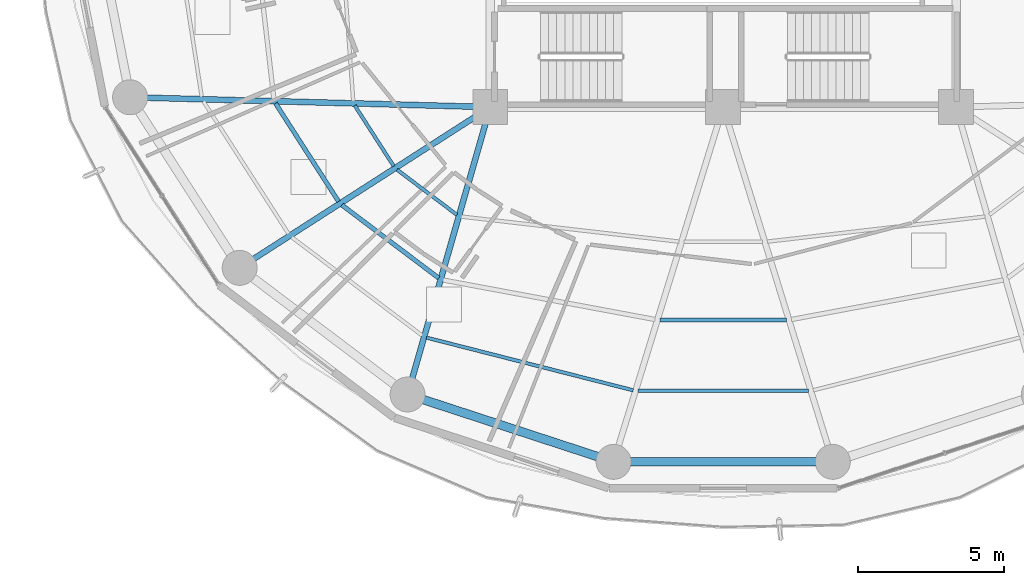
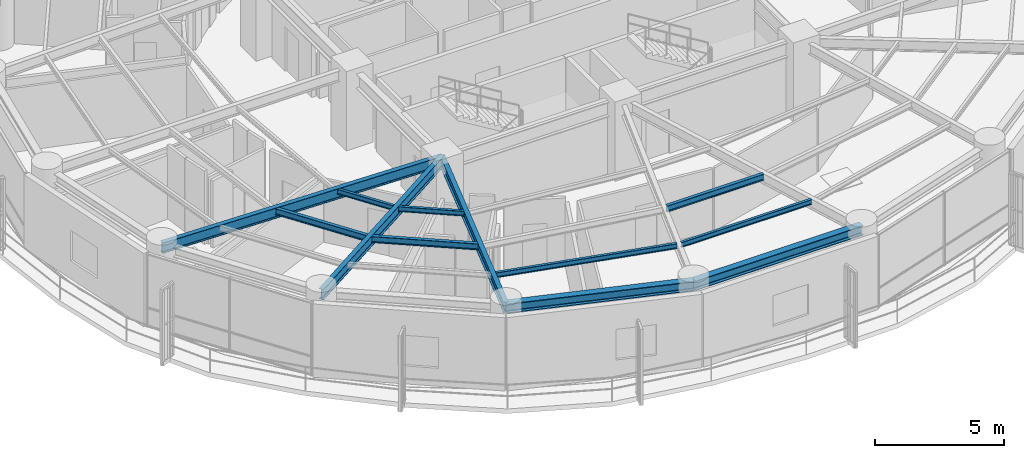
# One storey, part 3 of 27: 12 beams.
"""IFC4 building model written with IfcOpenShell, lengths in metres."""

from ifc_helpers import new_model, si_unit, direction, frame, origin, origin_2d, place, context, subcontext, project, spatial, i_section, extrude, material, material_profile, profile_set, type_object, element, save


model = new_model("IFC4")

# Units and contexts
model_context = context("Model", 3, precision=1e-05, world=origin(), true_north=direction((0.0, 1.0)))
body_context = subcontext(model_context, "Body", "Model", "MODEL_VIEW")
ifc_project = project(units=[si_unit("LENGTHUNIT", "METRE"), si_unit("AREAUNIT", "SQUARE_METRE"), si_unit("VOLUMEUNIT", "CUBIC_METRE"), si_unit("PLANEANGLEUNIT", "RADIAN"), si_unit("MASSUNIT", "GRAM", prefix="KILO")], contexts=[model_context])

# Site, building, storey
site_placement = place(None, origin())
site = spatial("IfcSite", under=ifc_project, at=site_placement, CompositionType="ELEMENT")
building_placement = place(site_placement, origin())
building = spatial("IfcBuilding", under=site, at=building_placement, Name="Kelanora Arch Commons", CompositionType="ELEMENT")
storey_placement = place(building_placement, frame((0.0, 0.0, 146.85009765625)))
storey = spatial("IfcBuildingStorey", under=building, at=storey_placement, Name="L37", CompositionType="ELEMENT", Elevation=146.85009765625)

# Beams
ifc_material = material(Name="Steel S355", Category="steel")
ifc_material_profile_1 = material_profile(ifc_material, i_section(OverallWidth=0.14990234375, OverallDepth=0.300048828125, WebThickness=0.007080078125, FlangeThickness=0.0107421875, FilletRadius=0.014892578125, at=origin_2d()), Name="IPE300")
ifc_profile_set_1 = profile_set([ifc_material_profile_1], Name="Steel S355")
beam_type_1 = type_object("IfcBeamType", Name="BM-JST-01", PredefinedType="JOIST", material=ifc_profile_set_1)
beam_1_placement = place(storey_placement, frame((58.622314453125, 51.130859375, 3.33984375), z_axis=(0.540594434398, -0.841283339606, 0.0), x_axis=(0.841283339606, 0.540594434398, 0.0)))
element("IfcBeam", 1, at=beam_1_placement, inside=storey, type_object=beam_type_1, Name="Secondary Chord Joist BJB-20 L37", PredefinedType="JOIST", context=body_context, shape_type="SweptSolid", body=[
    extrude(i_section(OverallWidth=0.14990234375, OverallDepth=0.300048828125, WebThickness=0.007080078125, FlangeThickness=0.0107421875, FilletRadius=0.014892578125, at=origin_2d()), origin(), (0.0, 0.0, 1.0), 4.008544921875),
])
beam_2_placement = place(storey_placement, frame((60.9033203125, 47.635986328125, 3.33984375), z_axis=(0.798463547891, -0.602043156833, 0.0), x_axis=(0.602043156833, 0.798463547891, 0.0)))
element("IfcBeam", 2, at=beam_2_placement, inside=storey, type_object=beam_type_1, Name="Secondary Chord Joist BJB-22 L37", PredefinedType="JOIST", context=body_context, shape_type="SweptSolid", body=[
    extrude(i_section(OverallWidth=0.14990234375, OverallDepth=0.300048828125, WebThickness=0.007080078125, FlangeThickness=0.0107421875, FilletRadius=0.014892578125, at=origin_2d()), origin(), (0.0, 0.0, 1.0), 4.163818359375),
])
beam_3_placement = place(storey_placement, frame((71.826171875, 43.689453125, 3.33984375), z_axis=(1.0, 0.0, 0.0), x_axis=(0.0, 1.0, 0.0)))
element("IfcBeam", 3, at=beam_3_placement, inside=storey, type_object=beam_type_1, Name="Secondary Chord Joist BJB-26 L37", PredefinedType="JOIST", context=body_context, shape_type="SweptSolid", body=[
    extrude(i_section(OverallWidth=0.14990234375, OverallDepth=0.300048828125, WebThickness=0.007080078125, FlangeThickness=0.0107421875, FilletRadius=0.014892578125, at=origin_2d()), origin(), (0.0, 0.0, 1.0), 4.34765625),
])
ifc_material_profile_2 = material_profile(ifc_material, i_section(OverallWidth=0.1201171875, OverallDepth=0.239990234375, WebThickness=0.006103515625, FlangeThickness=0.009765625, FilletRadius=0.014892578125, at=origin_2d()), Name="IPE240")
ifc_profile_set_2 = profile_set([ifc_material_profile_2], Name="Steel S355")
beam_type_2 = type_object("IfcBeamType", Name="BM-JST-02", PredefinedType="JOIST", material=ifc_profile_set_2)
beam_4_placement = place(storey_placement, frame((61.344482421875, 51.056640625, 3.369873046875), z_axis=(0.540583174025, -0.841290575224, 0.0), x_axis=(0.841290575224, 0.540583174025, 0.0)))
element("IfcBeam", 4, at=beam_4_placement, inside=storey, type_object=beam_type_2, Name="Secondary Chord Joist BJA-20 L37", PredefinedType="JOIST", context=body_context, shape_type="SweptSolid", body=[
    extrude(i_section(OverallWidth=0.1201171875, OverallDepth=0.239990234375, WebThickness=0.006103515625, FlangeThickness=0.009765625, FilletRadius=0.014892578125, at=origin_2d()), origin(), (0.0, 0.0, 1.0), 2.476318359375),
])
beam_5_placement = place(storey_placement, frame((62.796875, 48.8505859375, 3.369873046875), z_axis=(0.798484118859, -0.602015873487, 0.0), x_axis=(0.602015873487, 0.798484118859, 0.0)))
element("IfcBeam", 5, at=beam_5_placement, inside=storey, type_object=beam_type_2, Name="Secondary Chord Joist BJA-22 L37", PredefinedType="JOIST", context=body_context, shape_type="SweptSolid", body=[
    extrude(i_section(OverallWidth=0.1201171875, OverallDepth=0.239990234375, WebThickness=0.006103515625, FlangeThickness=0.009765625, FilletRadius=0.014892578125, at=origin_2d()), origin(), (0.0, 0.0, 1.0), 2.57470703125),
])
beam_6_placement = place(storey_placement, frame((63.810302734375, 43.082763671875, 3.369873046875), z_axis=(0.96900232943, -0.247051584815, 0.0), x_axis=(0.247051584815, 0.96900232943, 0.0)))
element("IfcBeam", 6, at=beam_6_placement, inside=storey, type_object=beam_type_2, Name="Secondary Chord Joist BJC-24 L37", PredefinedType="JOIST", context=body_context, shape_type="SweptSolid", body=[
    extrude(i_section(OverallWidth=0.1201171875, OverallDepth=0.239990234375, WebThickness=0.006103515625, FlangeThickness=0.009765625, FilletRadius=0.014892578125, at=origin_2d()), origin(), (0.0, 0.0, 1.0), 7.32275390625),
])
beam_7_placement = place(storey_placement, frame((71.0732421875, 41.252685546875, 3.369873046875), z_axis=(1.0, 0.0, 0.0), x_axis=(0.0, 1.0, 0.0)))
element("IfcBeam", 7, at=beam_7_placement, inside=storey, type_object=beam_type_2, Name="Secondary Chord Joist BJC-26 L37", PredefinedType="JOIST", context=body_context, shape_type="SweptSolid", body=[
    extrude(i_section(OverallWidth=0.1201171875, OverallDepth=0.239990234375, WebThickness=0.006103515625, FlangeThickness=0.009765625, FilletRadius=0.014892578125, at=origin_2d()), origin(), (0.0, 0.0, 1.0), 5.853515625),
])
ifc_material_profile_3 = material_profile(ifc_material, i_section(OverallWidth=0.199951171875, OverallDepth=0.5, WebThickness=0.01025390625, FlangeThickness=0.01611328125, FilletRadius=0.02099609375, at=origin_2d()), Name="IPE500")
ifc_profile_set_3 = profile_set([ifc_material_profile_3], Name="Steel S355")
beam_type_3 = type_object("IfcBeamType", Name="BM-RAD-Z3", PredefinedType="BEAM", material=ifc_profile_set_3)
beam_8_placement = place(storey_placement, frame((66.0, 51.0, 3.239990234375), z_axis=(-0.999628374924, 0.027260081577, 0.0), x_axis=(-0.027260081577, -0.999628374924, 0.0)))
element("IfcBeam", 8, at=beam_8_placement, inside=storey, type_object=beam_type_3, Name="Radial Floor Girder BR-20 L37", PredefinedType="BEAM", context=body_context, shape_type="SweptSolid", body=[
    extrude(i_section(OverallWidth=0.199951171875, OverallDepth=0.5, WebThickness=0.01025390625, FlangeThickness=0.01611328125, FilletRadius=0.02099609375, at=origin_2d()), origin(), (0.0, 0.0, 1.0), 12.377197265625),
])
beam_9_placement = place(storey_placement, frame((66.0, 51.0, 3.239990234375), z_axis=(-0.841719465748, -0.539915123868, 0.0), x_axis=(0.539915123868, -0.841719465748, 0.0)))
element("IfcBeam", 9, at=beam_9_placement, inside=storey, type_object=beam_type_3, Name="Radial Floor Girder BR-22 L37", PredefinedType="BEAM", context=body_context, shape_type="SweptSolid", body=[
    extrude(i_section(OverallWidth=0.199951171875, OverallDepth=0.5, WebThickness=0.01025390625, FlangeThickness=0.01611328125, FilletRadius=0.02099609375, at=origin_2d()), origin(), (0.0, 0.0, 1.0), 10.2265625),
])
beam_10_placement = place(storey_placement, frame((66.0, 51.0, 3.239990234375), z_axis=(-0.276525880065, -0.961006471182, 0.0), x_axis=(0.961006471182, -0.276525880065, 0.0)))
element("IfcBeam", 10, at=beam_10_placement, inside=storey, type_object=beam_type_3, Name="Radial Floor Girder BR-24 L37", PredefinedType="BEAM", context=body_context, shape_type="SweptSolid", body=[
    extrude(i_section(OverallWidth=0.199951171875, OverallDepth=0.5, WebThickness=0.01025390625, FlangeThickness=0.01611328125, FilletRadius=0.02099609375, at=origin_2d()), origin(), (0.0, 0.0, 1.0), 10.2705078125),
])
ifc_material_profile_4 = material_profile(ifc_material, i_section(OverallWidth=0.300048828125, OverallDepth=0.449951171875, WebThickness=0.013916015625, FlangeThickness=0.02587890625, FilletRadius=0.027099609375, at=origin_2d()), Name="HEB450")
ifc_profile_set_4 = profile_set([ifc_material_profile_4], Name="Steel S355")
beam_type_4 = type_object("IfcBeamType", Name="BM-SPN-Z3", PredefinedType="SPANDREL", material=ifc_profile_set_4)
beam_11_placement = place(storey_placement, frame((63.159912109375, 41.1298828125, 3.264892578125), z_axis=(0.950461975786, -0.310840847676, 0.0), x_axis=(0.310840847676, 0.950461975786, 0.0)))
element("IfcBeam", 11, at=beam_11_placement, inside=storey, type_object=beam_type_4, Name="Perimeter Spandrel Beam BS-24 L37", PredefinedType="SPANDREL", context=body_context, shape_type="SweptSolid", body=[
    extrude(i_section(OverallWidth=0.300048828125, OverallDepth=0.449951171875, WebThickness=0.013916015625, FlangeThickness=0.02587890625, FilletRadius=0.027099609375, at=origin_2d()), origin(), (0.0, 0.0, 1.0), 7.444091796875),
])
beam_12_placement = place(storey_placement, frame((70.2353515625, 38.81591796875, 3.264892578125), z_axis=(1.0, 0.0, 0.0), x_axis=(0.0, 1.0, 0.0)))
element("IfcBeam", 12, at=beam_12_placement, inside=storey, type_object=beam_type_4, Name="Perimeter Spandrel Beam BS-26 L37", PredefinedType="SPANDREL", context=body_context, shape_type="SweptSolid", body=[
    extrude(i_section(OverallWidth=0.300048828125, OverallDepth=0.449951171875, WebThickness=0.013916015625, FlangeThickness=0.02587890625, FilletRadius=0.027099609375, at=origin_2d()), origin(), (0.0, 0.0, 1.0), 7.529296875),
])

save(model, "model.ifc")
